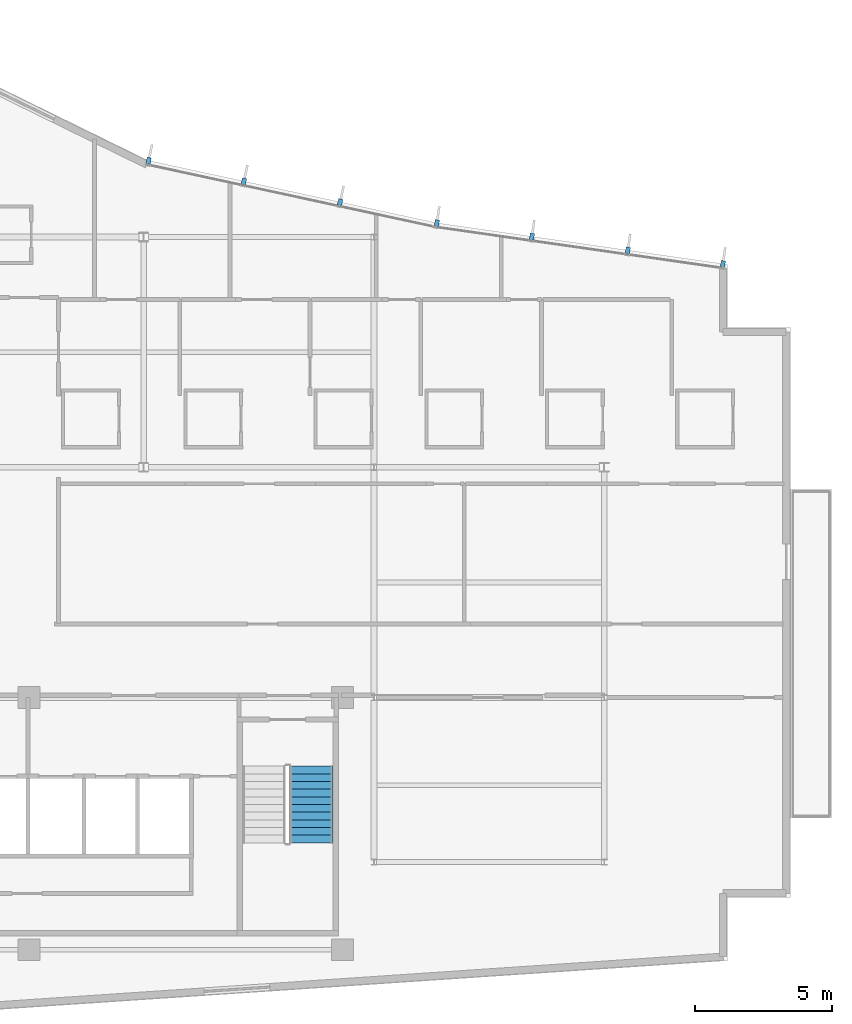
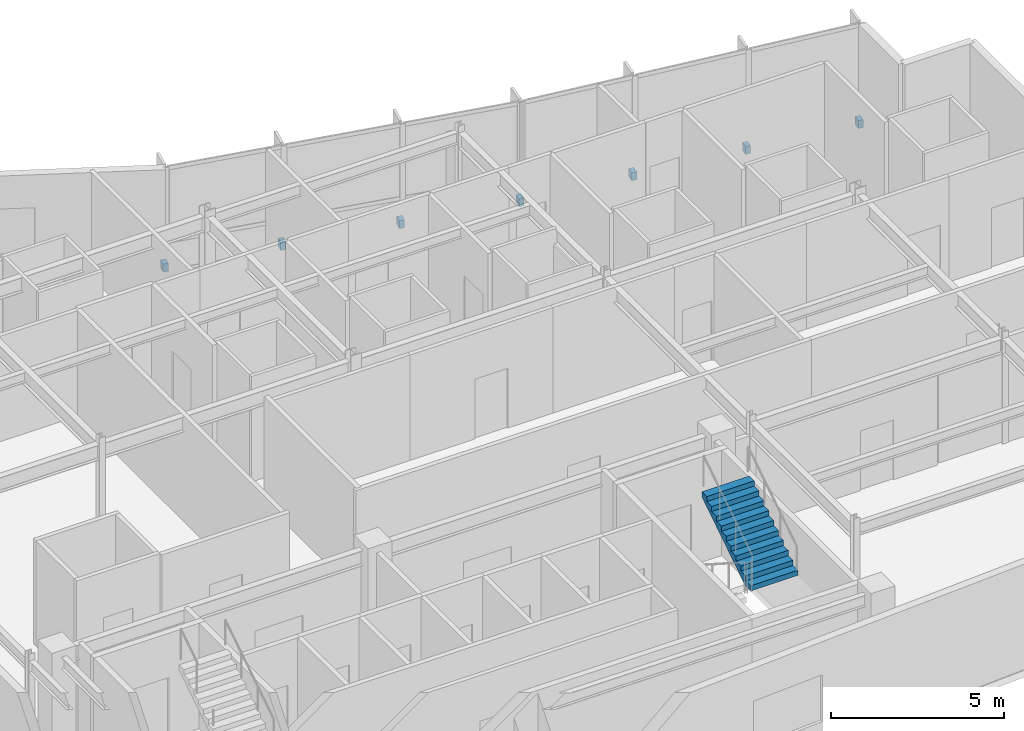
# One storey, part 13 of 16: 7 discrete accessories, 1 stair flight, 1 element without a shape of its own.
"""IFC4 building model written with IfcOpenShell, lengths in metres."""

from ifc_helpers import new_model, si_unit, direction, frame, origin, origin_2d, place, context, subcontext, project, spatial, polyline, rectangle, outline, extrude, material, layer, layer_set, type_object, element, aggregate, save


model = new_model("IFC4")

# Units and contexts
model_context = context("Model", 3, precision=1e-05, world=origin(), true_north=direction((0.0, 1.0)))
body_context = subcontext(model_context, "Body", "Model", "MODEL_VIEW")
ifc_project = project(units=[si_unit("LENGTHUNIT", "METRE"), si_unit("AREAUNIT", "SQUARE_METRE"), si_unit("VOLUMEUNIT", "CUBIC_METRE"), si_unit("PLANEANGLEUNIT", "RADIAN"), si_unit("MASSUNIT", "GRAM", prefix="KILO")], contexts=[model_context])

# Site, building, storey
site_placement = place(None, origin())
site = spatial("IfcSite", under=ifc_project, at=site_placement, CompositionType="ELEMENT")
building_placement = place(site_placement, origin())
building = spatial("IfcBuilding", under=site, at=building_placement, Name="Varnakote Quay Hospital", CompositionType="ELEMENT")
storey_placement = place(building_placement, frame((0.0, 0.0, 292.10009765625)))
storey = spatial("IfcBuildingStorey", under=building, at=storey_placement, Name="L72", CompositionType="ELEMENT", Elevation=292.10009765625)

# Stair, stair flight
ifc_material_1 = material(Name="Concrete N40 (f'c 40 MPa)", Category="concrete")
stair_type = type_object("IfcStairType", Name="STR-CORE-1580", PredefinedType="HALF_TURN_STAIR", material=ifc_material_1)
stair_placement = place(storey_placement, origin())
stair = element("IfcStair", 1, at=stair_placement, inside=storey, type_object=stair_type, Name="L72 Fire-Isolated Exit Stair ST-02", PredefinedType="HALF_TURN_STAIR")
ifc_material_2 = material(Name="Concrete N40 (f'c 40 MPa)", Category="concrete")
ifc_layer = layer(ifc_material_2, 0.159912109375)
ifc_layer_set = layer_set([ifc_layer], Name="Concrete N40 (f'c 40 MPa)")
stair_flight_type = type_object("IfcStairFlightType", Name="FLT-CORE-1580", PredefinedType="STRAIGHT", material=ifc_layer_set)
stair_flight_placement = place(storey_placement, frame((22.909912109375, 6.699951171875, 1.974853515625), z_axis=(0.0, 0.0, 1.0), x_axis=(0.0, 1.0, 0.0)))
stair_flight = element("IfcStairFlight", 2, at=stair_flight_placement, type_object=stair_flight_type, Name="ST-02 flight 2", NumberOfRisers=11, NumberOfTreads=10, PredefinedType="STRAIGHT", RiserHeight=0.179545455, TreadLength=0.28, context=body_context, shape_type="SweptSolid", body=[
    extrude(outline(polyline([(0.0, 0.0), (0.0, 0.179443359375), (0.280029296875, 0.179443359375), (0.280029296875, 0.359130859375), (0.56005859375, 0.359130859375), (0.56005859375, 0.53857421875), (0.840087890625, 0.53857421875), (0.840087890625, 0.71826171875), (1.1201171875, 0.71826171875), (1.1201171875, 0.897705078125), (1.39990234375, 0.897705078125), (1.39990234375, 1.077392578125), (1.679931640625, 1.077392578125), (1.679931640625, 1.2568359375), (1.9599609375, 1.2568359375), (1.9599609375, 1.436279296875), (2.239990234375, 1.436279296875), (2.239990234375, 1.615966796875), (2.52001953125, 1.615966796875), (2.52001953125, 1.79541015625), (2.800048828125, 1.79541015625), (2.800048828125, 1.97509765625), (2.800048828125, 1.60546875), (0.296142578125, 0.0), (0.0, 0.0)])), frame((0.0, 0.7900390625, 0.0), z_axis=(0.0, -1.0, 0.0), x_axis=(1.0, 0.0, 0.0)), (0.0, 0.0, 1.0), 1.580078125),
])
aggregate(stair, [stair_flight])

# Discrete accessories
ifc_material_3 = material(Name="Anodised aluminium 6063-T6 Bronze", Category="aluminium")
discrete_accessory_type = type_object("IfcDiscreteAccessoryType", Name="ACC-FIN-BRACKET-180", PredefinedType="BRACKET", material=ifc_material_3)
for number, where, z_axis, x_axis, name in (
    (3, (37.92919921875, 27.814453125, 0.0), (0.0, 0.0, 1.0), (-0.989925048845, 0.141592364445, 0.0), "L72 Curtain Wall Fin Fixing Bracket"),
    (4, (34.46240234375, 28.310302734375, 0.0), (0.0, 0.0, 1.0), (-0.989925048845, 0.141592364445, 0.0), "L72 Curtain Wall Fin Fixing Bracket"),
    (5, (30.963623046875, 28.810546875, 0.0), (0.0, 0.0, 1.0), (-0.989925048845, 0.141592364445, 0.0), "L72 Curtain Wall Fin Fixing Bracket"),
    (6, (27.4970703125, 29.306396484375, 0.0), (0.0, 0.0, 1.0), (-0.989925048845, 0.141592364445, 0.0), "L72 Curtain Wall Fin Fixing Bracket"),
    (7, (23.9658203125, 30.068115234375, 0.0), (0.0, 0.0, 1.0), (-0.977415894286, 0.211324796455, 0.0), "L72 Curtain Wall Fin Fixing Bracket"),
    (8, (20.456298828125, 30.8271484375, 0.0), (0.0, 0.0, 1.0), (-0.977415894286, 0.211324796455, 0.0), "L72 Curtain Wall Fin Fixing Bracket"),
    (9, (16.978515625, 31.579345703125, 0.0), (0.0, 0.0, 1.0), (-0.977415894286, 0.211324796455, 0.0), "L72 Curtain Wall Fin Fixing Bracket"),
):
    element("IfcDiscreteAccessory", number, at=place(storey_placement, frame(where, z_axis=z_axis, x_axis=x_axis)), inside=storey, type_object=discrete_accessory_type, Name=name, PredefinedType="BRACKET", context=body_context, shape_type="SweptSolid", body=[
        extrude(rectangle(XDim=0.159912109375, YDim=0.239990234375, at=origin_2d()), origin(), (0.0, 0.0, 1.0), 0.280029296875),
    ])

save(model, "model.ifc")
